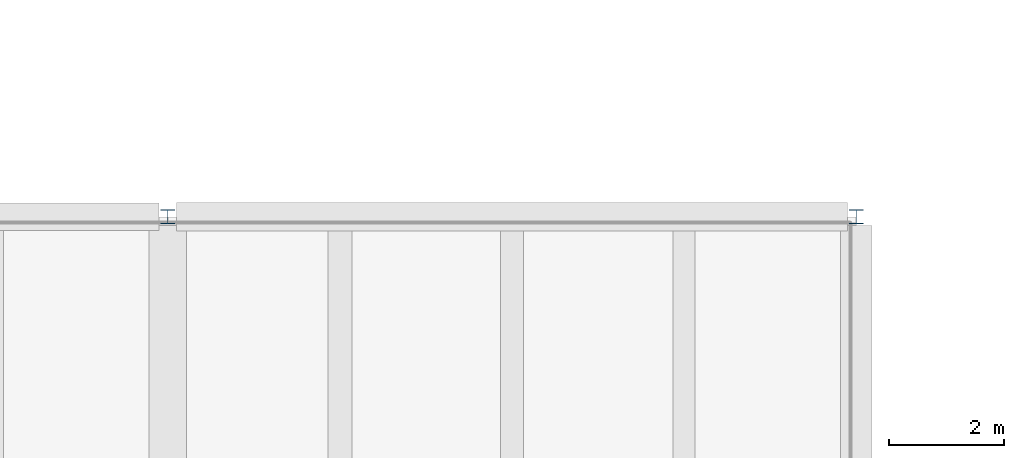
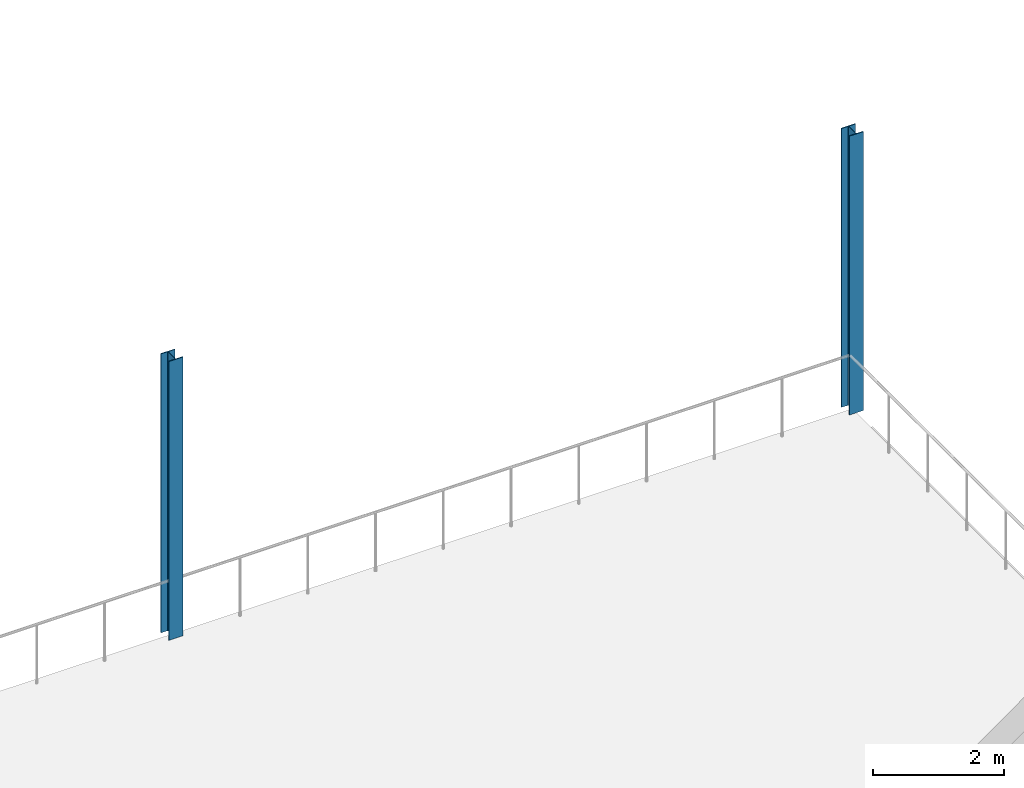
# One storey, part 6 of 112: 2 columns.
"""IFC4 building model written with IfcOpenShell, lengths in metres."""

from ifc_helpers import new_model, si_unit, direction, frame, origin, origin_2d, place, context, subcontext, project, spatial, i_section, extrude, material, material_profile, profile_set, type_object, element, save


model = new_model("IFC4")

# Units and contexts
model_context = context("Model", 3, precision=1e-05, world=origin(), true_north=direction((0.0, 1.0)))
body_context = subcontext(model_context, "Body", "Model", "MODEL_VIEW")
ifc_project = project(units=[si_unit("LENGTHUNIT", "METRE"), si_unit("AREAUNIT", "SQUARE_METRE"), si_unit("VOLUMEUNIT", "CUBIC_METRE"), si_unit("PLANEANGLEUNIT", "RADIAN"), si_unit("MASSUNIT", "GRAM", prefix="KILO")], contexts=[model_context])

# Site, building, storey
site_placement = place(None, origin())
site = spatial("IfcSite", under=ifc_project, at=site_placement, CompositionType="ELEMENT")
building_placement = place(site_placement, origin())
building = spatial("IfcBuilding", under=site, at=building_placement, Name="Kamomehara Wholesale Market", CompositionType="ELEMENT")
storey_placement = place(building_placement, frame((0.0, 0.0, 6.60009765625)))
storey = spatial("IfcBuildingStorey", under=building, at=storey_placement, Name="L01", CompositionType="ELEMENT", Elevation=6.60009765625)

# Columns
ifc_material_1 = material(Name="Steel SN490B", Category="steel")
ifc_material_profile_1 = material_profile(ifc_material_1, i_section(OverallWidth=0.25, OverallDepth=0.25, WebThickness=0.009033203125, FlangeThickness=0.013916015625, FilletRadius=0.012939453125, at=origin_2d()), Name="H-250x250x9x14")
ifc_profile_set_1 = profile_set([ifc_material_profile_1], Name="Steel SN490B")
column_type_1 = type_object("IfcColumnType", Name="COL-ST-H250", PredefinedType="COLUMN", material=ifc_profile_set_1)
column_1_placement = place(storey_placement, frame((96.0, 72.0, 0.0), z_axis=(0.0, 0.0, 1.0), x_axis=(1.0, 0.0, 0.0)))
element("IfcColumn", 1, at=column_1_placement, inside=storey, type_object=column_type_1, Name="Column CS-04 L01", PredefinedType="COLUMN", context=body_context, shape_type="SweptSolid", body=[
    extrude(i_section(OverallWidth=0.25, OverallDepth=0.25, WebThickness=0.009033203125, FlangeThickness=0.013916015625, FilletRadius=0.012939453125, at=origin_2d()), origin(), (0.0, 0.0, 1.0), 5.199951171875),
])
ifc_material_2 = material(Name="Steel SN490B", Category="steel")
ifc_material_profile_2 = material_profile(ifc_material_2, i_section(OverallWidth=0.25, OverallDepth=0.25, WebThickness=0.009033203125, FlangeThickness=0.013916015625, FilletRadius=0.012939453125, at=origin_2d()), Name="H-250x250x9x14")
ifc_profile_set_2 = profile_set([ifc_material_profile_2], Name="Steel SN490B")
column_type_2 = type_object("IfcColumnType", Name="COL-ST-H250-EXT", PredefinedType="COLUMN", material=ifc_profile_set_2)
column_2_placement = place(storey_placement, frame((108.0, 72.0, 0.0), z_axis=(0.0, 0.0, 1.0), x_axis=(1.0, 0.0, 0.0)))
element("IfcColumn", 2, at=column_2_placement, inside=storey, type_object=column_type_2, Name="Column CS-04E L01", PredefinedType="COLUMN", context=body_context, shape_type="SweptSolid", body=[
    extrude(i_section(OverallWidth=0.25, OverallDepth=0.25, WebThickness=0.009033203125, FlangeThickness=0.013916015625, FilletRadius=0.012939453125, at=origin_2d()), origin(), (0.0, 0.0, 1.0), 5.199951171875),
])

save(model, "model.ifc")
